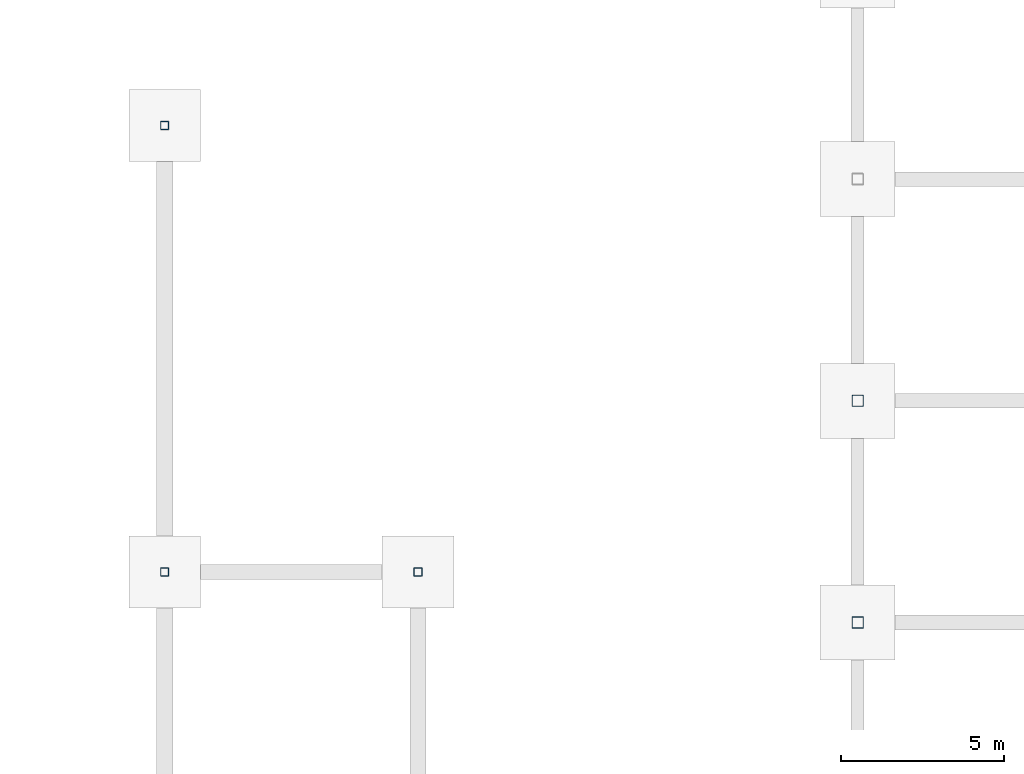
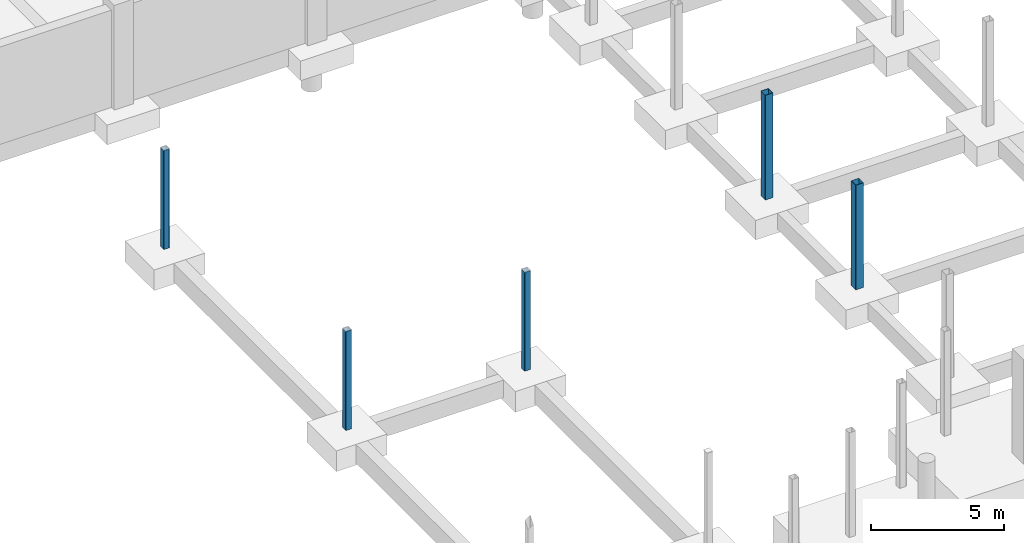
# One storey, part 16 of 44: 5 columns.
"""IFC4 building model written with IfcOpenShell, lengths in metres."""

from ifc_helpers import new_model, si_unit, direction, frame, origin, origin_2d, place, context, subcontext, project, spatial, hollow_rectangle, extrude, material, material_profile, profile_set, type_object, element, save


model = new_model("IFC4")

# Units and contexts
model_context = context("Model", 3, precision=1e-05, world=origin(), true_north=direction((0.0, 1.0)))
body_context = subcontext(model_context, "Body", "Model", "MODEL_VIEW")
ifc_project = project(units=[si_unit("LENGTHUNIT", "METRE"), si_unit("AREAUNIT", "SQUARE_METRE"), si_unit("VOLUMEUNIT", "CUBIC_METRE"), si_unit("PLANEANGLEUNIT", "RADIAN"), si_unit("MASSUNIT", "GRAM", prefix="KILO")], contexts=[model_context])

# Site, building, storey
site_placement = place(None, origin())
site = spatial("IfcSite", under=ifc_project, at=site_placement, CompositionType="ELEMENT")
building_placement = place(site_placement, origin())
building = spatial("IfcBuilding", under=site, at=building_placement, Name="Kisaragi Civic Commons", CompositionType="ELEMENT")
storey_placement = place(building_placement, frame((0.0, 0.0, -4.800048828125)))
storey = spatial("IfcBuildingStorey", under=building, at=storey_placement, Name="B1", CompositionType="ELEMENT", Elevation=-4.800048828125)

# Columns
ifc_material = material(Name="Steel BCR295", Category="steel")
ifc_material_profile_1 = material_profile(ifc_material, hollow_rectangle(XDim=0.35009765625, YDim=0.35009765625, WallThickness=0.011962890625, InnerFilletRadius=0.011962890625, OuterFilletRadius=0.02392578125, at=origin_2d()), Name="BCR-350x350x12", Category="steel")
ifc_profile_set_1 = profile_set([ifc_material_profile_1], Name="Steel BCR295")
column_type_1 = type_object("IfcColumnType", Name="C-13", PredefinedType="COLUMN", material=ifc_profile_set_1)
for number, where, z_axis, x_axis, name in (
    (1, (123.60009765625, 38.0, 0.0), (0.0, 0.0, 1.0), (1.0, 0.0, 0.0), "B1 column C-13 (123.6,38.0)"),
    (2, (123.60009765625, 44.800048828125, 0.0), (0.0, 0.0, 1.0), (1.0, 0.0, 0.0), "B1 column C-13 (123.6,44.8)"),
):
    element("IfcColumn", number, at=place(storey_placement, frame(where, z_axis=z_axis, x_axis=x_axis)), inside=storey, type_object=column_type_1, Name=name, PredefinedType="COLUMN", context=body_context, shape_type="SweptSolid", body=[
        extrude(hollow_rectangle(XDim=0.35009765625, YDim=0.35009765625, WallThickness=0.011962890625, InnerFilletRadius=0.011962890625, OuterFilletRadius=0.02392578125, at=origin_2d()), origin(), (0.0, 0.0, 1.0), 4.800048828125),
    ])
ifc_material_profile_2 = material_profile(ifc_material, hollow_rectangle(XDim=0.25, YDim=0.25, WallThickness=0.009033203125, InnerFilletRadius=0.009033203125, OuterFilletRadius=0.01806640625, at=origin_2d()), Name="BCR-250x250x9", Category="steel")
ifc_profile_set_2 = profile_set([ifc_material_profile_2], Name="Steel BCR295")
column_type_2 = type_object("IfcColumnType", Name="C-26", PredefinedType="COLUMN", material=ifc_profile_set_2)
for number, where, z_axis, x_axis, name in (
    (3, (102.34033203125, 39.550048828125, 0.0), (0.0, 0.0, 1.0), (1.0, 0.0, 0.0), "B1 column C-26 (102.3,39.5)"),
    (4, (102.34033203125, 53.24609375, 0.0), (0.0, 0.0, 1.0), (1.0, 0.0, 0.0), "B1 column C-26 (102.3,53.2)"),
    (5, (110.110107421875, 39.550048828125, 0.0), (0.0, 0.0, 1.0), (1.0, 0.0, 0.0), "B1 column C-26 (110.1,39.5)"),
):
    element("IfcColumn", number, at=place(storey_placement, frame(where, z_axis=z_axis, x_axis=x_axis)), inside=storey, type_object=column_type_2, Name=name, PredefinedType="COLUMN", context=body_context, shape_type="SweptSolid", body=[
        extrude(hollow_rectangle(XDim=0.25, YDim=0.25, WallThickness=0.009033203125, InnerFilletRadius=0.009033203125, OuterFilletRadius=0.01806640625, at=origin_2d()), origin(), (0.0, 0.0, 1.0), 4.5390625),
    ])

save(model, "model.ifc")
